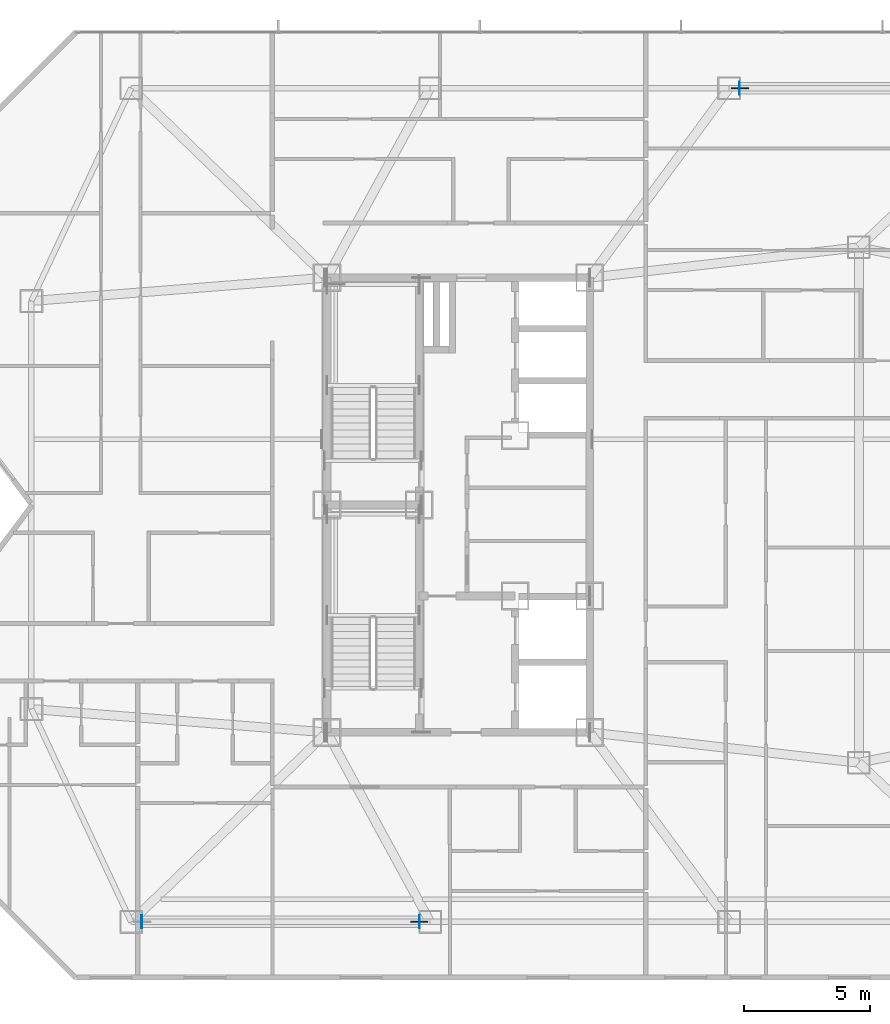
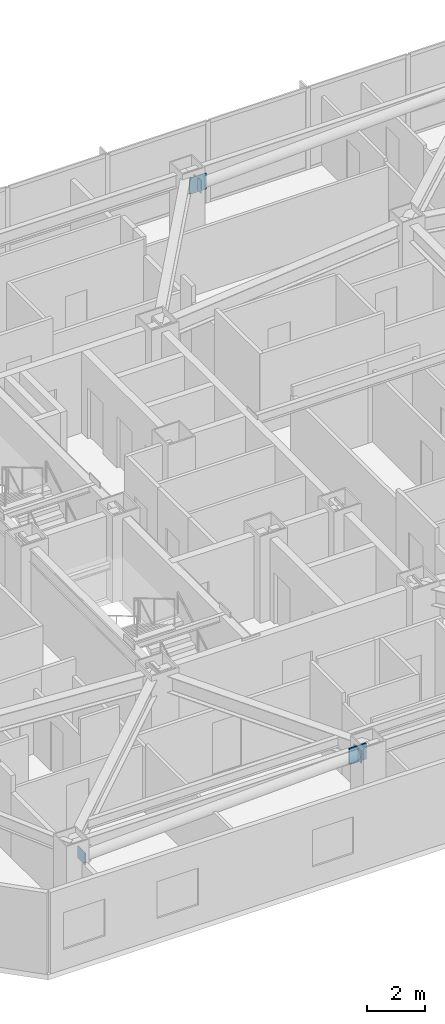
# One storey, part 12 of 21: 5 plates.
"""IFC4 building model written with IfcOpenShell, lengths in metres."""

from ifc_helpers import new_model, si_unit, direction, frame, origin, origin_2d, place, context, subcontext, project, spatial, rectangle, extrude, material, layer, layer_set, type_object, element, save


model = new_model("IFC4")

# Units and contexts
model_context = context("Model", 3, precision=1e-05, world=origin(), true_north=direction((0.0, 1.0)))
body_context = subcontext(model_context, "Body", "Model", "MODEL_VIEW")
ifc_project = project(units=[si_unit("LENGTHUNIT", "METRE"), si_unit("AREAUNIT", "SQUARE_METRE"), si_unit("VOLUMEUNIT", "CUBIC_METRE"), si_unit("PLANEANGLEUNIT", "RADIAN"), si_unit("MASSUNIT", "GRAM", prefix="KILO")], contexts=[model_context])

# Site, building, storey
site_placement = place(None, origin())
site = spatial("IfcSite", under=ifc_project, at=site_placement, CompositionType="ELEMENT")
building_placement = place(site_placement, origin())
building = spatial("IfcBuilding", under=site, at=building_placement, Name="Khamvora Tower", CompositionType="ELEMENT")
storey_placement = place(building_placement, frame((0.0, 0.0, 159.550048828125)))
storey = spatial("IfcBuildingStorey", under=building, at=storey_placement, Name="L40", CompositionType="ELEMENT", Elevation=159.550048828125)

# Plates
ifc_material_1 = material(Name="Steel S355", Category="steel")
ifc_layer_1 = layer(ifc_material_1, 0.02490234375)
ifc_layer_set_1 = layer_set([ifc_layer_1], Name="Steel S355")
plate_type_1 = type_object("IfcPlateType", Name="PL-CAP-25", PredefinedType="SHEET", material=ifc_layer_set_1)
for number, where, z_axis, x_axis, name in (
    (1, (21.66796875, 11.5, 2.4384765625), (0.0, 0.0, 1.0), (1.0, 0.0, 0.0), "L40 hollow section steel end cap plate 0940"),
    (2, (32.6650390625, 11.5, 2.886474609375), (0.0, 0.0, 1.0), (1.0, 0.0, 0.0), "L40 hollow section steel end cap plate 0941"),
    (3, (45.3349609375, 44.5, 2.4384765625), (0.0, 0.0, 1.0), (1.0, 0.0, 0.0), "L40 hollow section steel end cap plate 0942"),
):
    element("IfcPlate", number, at=place(storey_placement, frame(where, z_axis=z_axis, x_axis=x_axis)), inside=storey, type_object=plate_type_1, Name=name, PredefinedType="SHEET", context=body_context, shape_type="SweptSolid", body=[
        extrude(rectangle(XDim=0.02490234375, YDim=0.51708984375, at=origin_2d()), origin(), (0.0, 0.0, 1.0), 0.51708984375),
    ])
ifc_material_2 = material(Name="Steel S460", Category="steel")
ifc_layer_2 = layer(ifc_material_2, 0.0400390625)
ifc_layer_set_2 = layer_set([ifc_layer_2], Name="Steel S460")
plate_type_2 = type_object("IfcPlateType", Name="PLT-GUS-40", PredefinedType="SHEET", material=ifc_layer_set_2)
for number, where, z_axis, x_axis, name in (
    (4, (32.653076171875, 11.5, 2.80419921875), (0.0, 0.0, 1.0), (1.0, 0.0, 0.0), "L40 brace connection node gusset plate 0278"),
    (5, (45.346923828125, 44.5, 2.35791015625), (0.0, 0.0, 1.0), (1.0, 0.0, 0.0), "L40 brace connection node gusset plate 0279"),
):
    element("IfcPlate", number, at=place(storey_placement, frame(where, z_axis=z_axis, x_axis=x_axis)), inside=storey, type_object=plate_type_2, Name=name, PredefinedType="SHEET", context=body_context, shape_type="SweptSolid", body=[
        extrude(rectangle(XDim=0.679931640625, YDim=0.0400390625, at=origin_2d()), origin(), (0.0, 0.0, 1.0), 0.679931640625),
    ])

save(model, "model.ifc")
